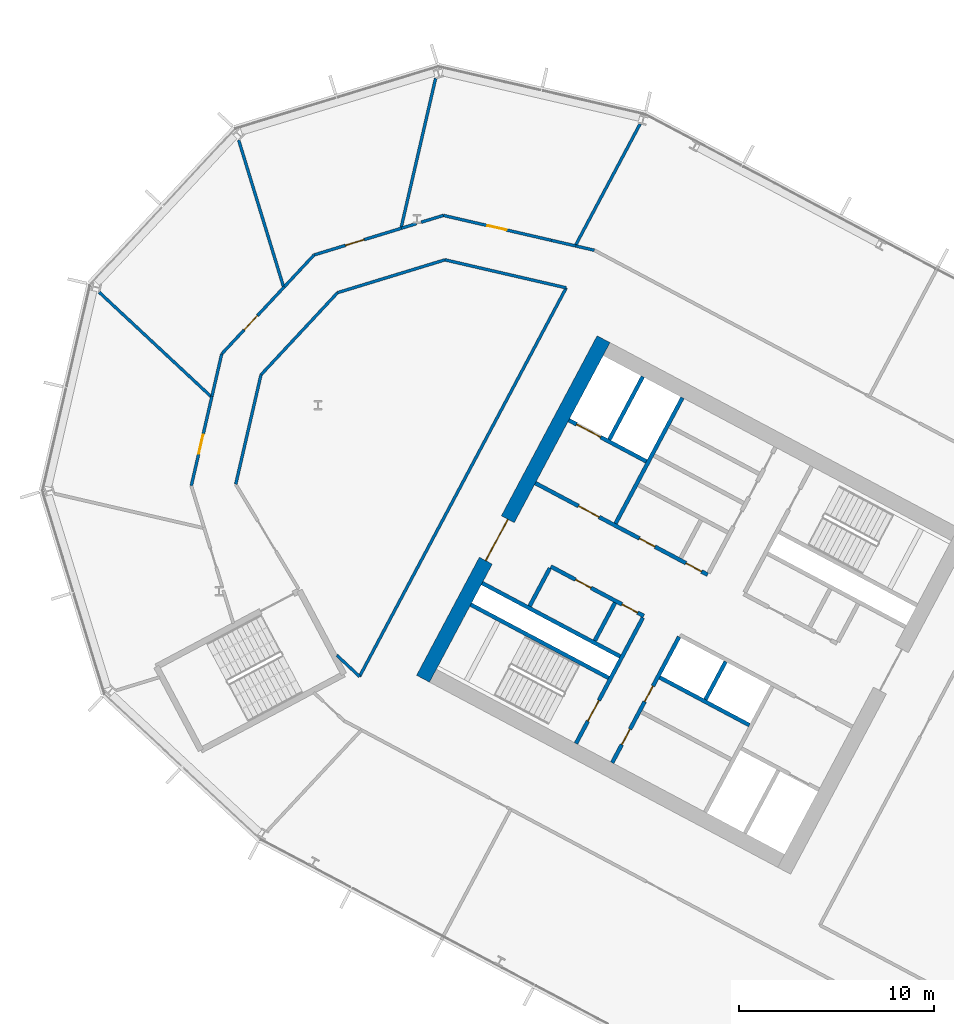
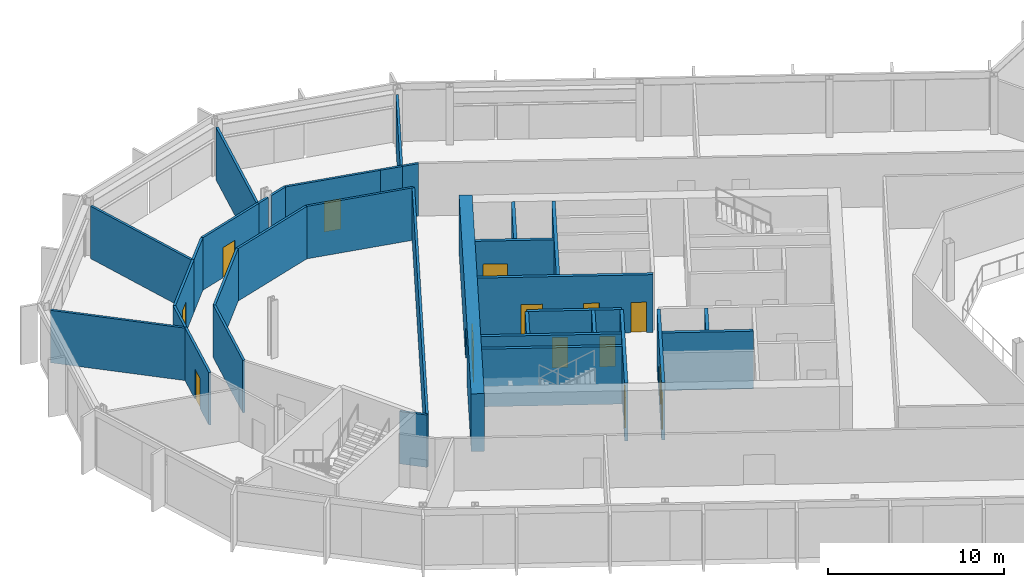
# One storey, part 14 of 28: 34 walls, 14 doors, 14 openings.
"""IFC4 building model written with IfcOpenShell, lengths in metres."""

import ifcopenshell
import ifcopenshell.guid

model = None  # the IFC model being written
_history = None  # IfcOwnerHistory: only IFC2X3 demands one
_inside = {}  # id of a spatial element -> (the spatial element, [elements in it])
_under = {}  # id of a project, library or spatial element -> (it, [spatial elements below it])
_declared = {}  # id of a project -> (the project, [libraries it declares])
_typed = {}  # id of a type object -> (the type object, [elements of that type])
_made_of = {}  # id of a material, layer set ... -> (it, [elements and type objects made of it])


def new_model(schema):
    """Start an empty IFC model of exactly this schema.

    Asked for "IFC4X3", IfcOpenShell would pick the latest addendum, in which some entities
    have other attributes; the version numbers below select the first issue.
    IFC2X3 requires an IfcOwnerHistory on every rooted entity: one is made here for all.
    """
    global model, _history
    if schema == "IFC4X3":
        model = ifcopenshell.file(schema_version=(4, 3, 0, 0))
    else:
        model = ifcopenshell.file(schema=schema)
    _inside.clear()
    _under.clear()
    _declared.clear()
    _typed.clear()
    _made_of.clear()
    _history = None
    if model.schema == "IFC2X3":
        org = make("IfcOrganization", Name="unknown")
        user = make(
            "IfcPersonAndOrganization",
            ThePerson=make("IfcPerson", FamilyName="unknown"),
            TheOrganization=org,
        )
        app = make(
            "IfcApplication",
            ApplicationDeveloper=org,
            Version="unknown",
            ApplicationFullName="unknown",
            ApplicationIdentifier="unknown",
        )
        _history = make(
            "IfcOwnerHistory",
            OwningUser=user,
            OwningApplication=app,
            ChangeAction="ADDED",
            CreationDate=0,
        )
    return model


def make(cls, **values):
    """One entity of the class cls with the attributes given. An attribute that is None is left unset."""
    return model.create_entity(
        cls, **{name: value for name, value in values.items() if value is not None}
    )


def rooted(cls, **values):
    """An entity with a GlobalId (a new one), such as an element, a storey or a relation."""
    return make(cls, GlobalId=ifcopenshell.guid.new(), OwnerHistory=_history, **values)


def si_unit(unit_type, name, prefix=None):
    """IfcSIUnit, for example si_unit("LENGTHUNIT", "METRE", prefix="MILLI")."""
    return make("IfcSIUnit", UnitType=unit_type, Prefix=prefix, Name=name)


def assignment(units):
    """IfcUnitAssignment: the units of a project."""
    return None if units is None else make("IfcUnitAssignment", Units=units)


def point(xyz):
    """IfcCartesianPoint."""
    return None if xyz is None else make("IfcCartesianPoint", Coordinates=xyz)


def direction(xyz):
    """IfcDirection."""
    return None if xyz is None else make("IfcDirection", DirectionRatios=xyz)


def frame(location, z_axis=None, x_axis=None):
    """IfcAxis2Placement3D, a coordinate frame: its origin and axes. An axis left out is left unset."""
    return make(
        "IfcAxis2Placement3D",
        Location=point(location),
        Axis=direction(z_axis),
        RefDirection=direction(x_axis),
    )


def frame_2d(location, x_axis=None):
    """IfcAxis2Placement2D, a coordinate frame in the plane: its origin and x axis."""
    return make(
        "IfcAxis2Placement2D", Location=point(location), RefDirection=direction(x_axis)
    )


def origin():
    """The frame at (0, 0, 0) with its axes left unset."""
    return frame((0.0, 0.0, 0.0))


def place(relative_to, where):
    """IfcLocalPlacement: puts the frame where relative to a parent placement (None: the world)."""
    return make(
        "IfcLocalPlacement", PlacementRelTo=relative_to, RelativePlacement=where
    )


def context(
    kind, dimensions, precision=None, world=None, true_north=None, identifier=None
):
    """IfcGeometricRepresentationContext, for example the 3D "Model" context."""
    return make(
        "IfcGeometricRepresentationContext",
        ContextIdentifier=identifier,
        ContextType=kind,
        CoordinateSpaceDimension=dimensions,
        Precision=precision,
        WorldCoordinateSystem=world,
        TrueNorth=true_north,
    )


def subcontext(parent, identifier, kind, view, scale=None):
    """IfcGeometricRepresentationSubContext, for example "Body" below "Model"."""
    return make(
        "IfcGeometricRepresentationSubContext",
        ContextIdentifier=identifier,
        ContextType=kind,
        ParentContext=parent,
        TargetScale=scale,
        TargetView=view,
    )


def project(units=None, contexts=None):
    """IfcProject with its units and contexts."""
    return rooted(
        "IfcProject",
        Name="project",
        RepresentationContexts=contexts,
        UnitsInContext=assignment(units),
    )


def spatial(cls, under=None, at=None, **own):
    """A site, building, storey or space (cls), placed at a placement, below another one or the project."""
    s = rooted(cls, ObjectPlacement=at, **own)
    if under is not None:
        _under.setdefault(under.id(), (under, []))[1].append(s)
    return s


def profile(cls, at=None, kind="AREA", **sizes):
    """A parametric profile (cls). Its sizes go by their IFC names, for example OverallWidth=200.0."""
    return make(cls, ProfileType=kind, Position=at, **sizes)


def rectangle(**sizes):
    """IfcRectangleProfileDef."""
    return profile("IfcRectangleProfileDef", **sizes)


def extrude(swept, where, along, depth):
    """IfcExtrudedAreaSolid: the profile swept, set in the frame where, extruded along a direction by depth."""
    return make(
        "IfcExtrudedAreaSolid",
        SweptArea=swept,
        Position=where,
        ExtrudedDirection=direction(along),
        Depth=depth,
    )


def shape(context_of_items, identifier, shape_type, items):
    """IfcShapeRepresentation: the items that make up one representation, for example the "Body"."""
    return make(
        "IfcShapeRepresentation",
        ContextOfItems=context_of_items,
        RepresentationIdentifier=identifier,
        RepresentationType=shape_type,
        Items=items,
    )


def material(Name=None, Category=None):
    """IfcMaterial."""
    return make("IfcMaterial", Name=Name, Category=Category)


def layer(
    of_material, thickness, ventilated=None, Name=None, Category=None, Priority=None
):
    """IfcMaterialLayer: one layer of a wall or slab, of a material (None: an air gap)."""
    return make(
        "IfcMaterialLayer",
        Material=of_material,
        LayerThickness=thickness,
        IsVentilated=ventilated,
        Name=Name,
        Category=Category,
        Priority=Priority,
    )


def layer_set(layers, Name=None):
    """IfcMaterialLayerSet."""
    return make("IfcMaterialLayerSet", MaterialLayers=layers, LayerSetName=Name)


def made_of(thing, what):
    """Note that an element or type object is made of a material, layer set ...; save() writes the relation."""
    if what is not None:
        _made_of.setdefault(what.id(), (what, []))[1].append(thing)
    return thing


def type_object(cls, material=None, **own):
    """A type object (cls), such as IfcWallType, which elements share."""
    return made_of(rooted(cls, **own), material)


def element(
    cls,
    number,
    at=None,
    inside=None,
    cuts=None,
    type_object=None,
    material=None,
    context=None,
    identifier="Body",
    shape_type=None,
    held_by="IfcProductDefinitionShape",
    body=None,
    shapes=None,
    **own,
):
    """One element of the class cls, such as IfcWall. Its Tag is "e" and its number.

    at: its placement. inside: the storey or other place that contains it. cuts: it is an
    opening in that element (IfcRelVoidsElement). A single representation is given by context,
    identifier, shape_type and body (its items); several are given by shapes. held_by: the class
    of the entity that holds the representations. save() writes the other relations.
    """
    e = rooted(cls, Tag="e%d" % number, ObjectPlacement=at, **own)
    if body is not None:
        shapes = [shape(context, identifier, shape_type, body)]
    if shapes is not None:
        e.Representation = make(held_by, Representations=shapes)
    if inside is not None:
        _inside.setdefault(inside.id(), (inside, []))[1].append(e)
    if cuts is not None:
        rooted(
            "IfcRelVoidsElement", RelatingBuildingElement=cuts, RelatedOpeningElement=e
        )
    if type_object is not None:
        _typed.setdefault(type_object.id(), (type_object, []))[1].append(e)
    return made_of(e, material)


def fill(opening, filler):
    """IfcRelFillsElement: the door or window that sits in an opening."""
    return rooted(
        "IfcRelFillsElement",
        RelatingOpeningElement=opening,
        RelatedBuildingElement=filler,
    )


def aggregate(whole, parts):
    """IfcRelAggregates: a whole, such as a stair, and the parts it consists of."""
    return rooted("IfcRelAggregates", RelatingObject=whole, RelatedObjects=parts)


def save(model, path):
    """Write the relations noted so far, then the file.

    IfcRelAggregates (storeys below a building ...), IfcRelContainedInSpatialStructure (elements
    in a storey), IfcRelDefinesByType, IfcRelAssociatesMaterial and IfcRelDeclares: one each for
    every whole, place, type object, material and project.
    """
    for whole, parts in _under.values():
        aggregate(whole, parts)
    for where, things in _inside.values():
        rooted(
            "IfcRelContainedInSpatialStructure",
            RelatedElements=things,
            RelatingStructure=where,
        )
    for kind, things in _typed.values():
        rooted("IfcRelDefinesByType", RelatedObjects=things, RelatingType=kind)
    for what, things in _made_of.values():
        rooted("IfcRelAssociatesMaterial", RelatedObjects=things, RelatingMaterial=what)
    for by, libraries in _declared.values():
        rooted("IfcRelDeclares", RelatingContext=by, RelatedDefinitions=libraries)
    model.write(path)


model = new_model("IFC4")

# Units and contexts
model_context = context("Model", 3, precision=1e-05, world=origin(), true_north=direction((0.0, 1.0)))
body_context = subcontext(model_context, "Body", "Model", "MODEL_VIEW")
ifc_project = project(units=[si_unit("LENGTHUNIT", "METRE"), si_unit("AREAUNIT", "SQUARE_METRE"), si_unit("VOLUMEUNIT", "CUBIC_METRE"), si_unit("PLANEANGLEUNIT", "RADIAN"), si_unit("MASSUNIT", "GRAM", prefix="KILO")], contexts=[model_context])

# Site, building, storey
site_placement = place(None, origin())
site = spatial("IfcSite", under=ifc_project, at=site_placement, CompositionType="ELEMENT")
building_placement = place(site_placement, origin())
building = spatial("IfcBuilding", under=site, at=building_placement, Name="Cormorant Relay Tower", CompositionType="ELEMENT")
storey_placement = place(building_placement, frame((0.0, 0.0, 142.199951171875)))
storey = spatial("IfcBuildingStorey", under=building, at=storey_placement, Name="L29", CompositionType="ELEMENT", Elevation=142.199951171875)

# Walls
ifc_material_1 = material(Name="Concrete 40 MPa", Category="concrete")
ifc_layer_1 = layer(ifc_material_1, 0.199951171875)
ifc_layer_set_1 = layer_set([ifc_layer_1], Name="Core internal wall 200")
wall_type_1 = type_object("IfcWallType", Name="Core internal wall 200", PredefinedType="SOLIDWALL", material=ifc_layer_set_1)
wall_1_placement = place(storey_placement, frame((-25.744140625, 11.64990234375, 0.0), z_axis=(0.0, 0.0, 1.0), x_axis=(-0.469487830541, -0.882938942948, 0.0)))
element("IfcWall", 1, at=wall_1_placement, inside=storey, type_object=wall_type_1, Name="L29 core A shaft and room wall", PredefinedType="SOLIDWALL", context=body_context, shape_type="SweptSolid", body=[
    extrude(rectangle(XDim=2.2001953125, YDim=0.199951171875, at=frame_2d((1.10009765625, 0.0))), origin(), (0.0, 0.0, 1.0), 4.0),
])
wall_2_placement = place(storey_placement, frame((-31.41259765625, 14.663818359375, 0.0), z_axis=(0.0, 0.0, 1.0), x_axis=(-0.469533832133, -0.882914480843, 0.0)))
element("IfcWall", 2, at=wall_2_placement, inside=storey, type_object=wall_type_1, Name="L29 core A shaft and room wall", PredefinedType="SOLIDWALL", context=body_context, shape_type="SweptSolid", body=[
    extrude(rectangle(XDim=2.199951171875, YDim=0.199951171875, at=frame_2d((1.10009765625, 0.0))), origin(), (0.0, 0.0, 1.0), 4.0),
])

# Wall, openings, doors
ifc_material_2 = material(Name="Concrete 50 MPa", Category="concrete")
ifc_layer_2 = layer(ifc_material_2, 0.199951171875)
ifc_layer_set_2 = layer_set([ifc_layer_2], Name="Core shaft wall 200")
wall_type_2 = type_object("IfcWallType", Name="Core shaft wall 200", PredefinedType="SHEAR", material=ifc_layer_set_2)
wall_3_placement = place(storey_placement, frame((-28.128173828125, 12.91748046875, 0.0), z_axis=(0.0, 0.0, 1.0), x_axis=(-0.469454336211, -0.882956752176, 0.0)))
wall_3 = element("IfcWall", 3, at=wall_3_placement, inside=storey, type_object=wall_type_2, Name="L29 core A shaft wall", PredefinedType="SHEAR", context=body_context, shape_type="SweptSolid", body=[
    extrude(rectangle(XDim=7.300048828125, YDim=0.199951171875, at=frame_2d((3.64990234375, 0.0))), origin(), (0.0, 0.0, 1.0), 4.0),
])
opening_1_placement = place(wall_3_placement, frame((2.85009765625, 0.0, 0.0)))
opening_1 = element("IfcOpeningElement", 4, at=opening_1_placement, cuts=wall_3, Name="Opening CDD-196", PredefinedType="OPENING", context=body_context, shape_type="SweptSolid", body=[
    extrude(rectangle(XDim=0.89990234375, YDim=2.10009765625, at=frame_2d((0.449951171875, 1.050048828125))), frame((0.0, 0.10986328125, 0.0), z_axis=(0.0, -1.0, 0.0), x_axis=(1.0, 0.0, 0.0)), (0.0, 0.0, 1.0), 0.219970703125),
])
opening_2_placement = place(wall_3_placement, frame((5.35009765625, 0.0, 0.0)))
opening_2 = element("IfcOpeningElement", 5, at=opening_2_placement, cuts=wall_3, Name="Opening CDD-197", PredefinedType="OPENING", context=body_context, shape_type="SweptSolid", body=[
    extrude(rectangle(XDim=0.89990234375, YDim=2.10009765625, at=frame_2d((0.449951171875, 1.050048828125))), frame((0.0, 0.10986328125, 0.0), z_axis=(0.0, -1.0, 0.0), x_axis=(1.0, 0.0, 0.0)), (0.0, 0.0, 1.0), 0.219970703125),
])
ifc_material_3 = material(Name="Steel fire door", Category="steel")
door_type_1 = type_object("IfcDoorType", Name="Core room door 900x2100", OperationType="SINGLE_SWING_LEFT", PredefinedType="DOOR", material=ifc_material_3)
door_1_placement = place(opening_1_placement, origin())
door_1 = element("IfcDoor", 6, at=door_1_placement, inside=storey, type_object=door_type_1, Name="Core room door 900x2100", OperationType="SINGLE_SWING_LEFT", OverallHeight=2.10009765625, OverallWidth=0.89990234375, PredefinedType="DOOR", context=body_context, shape_type="SweptSolid", body=[
    extrude(rectangle(XDim=0.89990234375, YDim=2.10009765625, at=frame_2d((0.449951171875, 1.050048828125))), frame((0.0, 0.02490234375, 0.0), z_axis=(0.0, -1.0, 0.0), x_axis=(1.0, 0.0, 0.0)), (0.0, 0.0, 1.0), 0.050048828125),
])
fill(opening_1, door_1)
door_2_placement = place(opening_2_placement, origin())
door_2 = element("IfcDoor", 7, at=door_2_placement, inside=storey, type_object=door_type_1, Name="Core room door 900x2100", OperationType="SINGLE_SWING_LEFT", OverallHeight=2.10009765625, OverallWidth=0.89990234375, PredefinedType="DOOR", context=body_context, shape_type="SweptSolid", body=[
    extrude(rectangle(XDim=0.89990234375, YDim=2.10009765625, at=frame_2d((0.449951171875, 1.050048828125))), frame((0.0, 0.02490234375, 0.0), z_axis=(0.0, -1.0, 0.0), x_axis=(1.0, 0.0, 0.0)), (0.0, 0.0, 1.0), 0.050048828125),
])
fill(opening_2, door_2)

# Wall, opening, door
wall_4_placement = place(storey_placement, frame((-29.982421875, 13.9033203125, 0.0), z_axis=(0.0, 0.0, 1.0), x_axis=(-0.469454336211, -0.882956752176, 0.0)))
wall_4 = element("IfcWall", 8, at=wall_4_placement, inside=storey, type_object=wall_type_2, Name="L29 core A shaft wall", PredefinedType="SHEAR", context=body_context, shape_type="SweptSolid", body=[
    extrude(rectangle(XDim=7.300048828125, YDim=0.199951171875, at=frame_2d((3.64990234375, 0.0))), origin(), (0.0, 0.0, 1.0), 4.0),
])
opening_3_placement = place(wall_4_placement, frame((4.800048828125, 0.0, 0.0)))
opening_3 = element("IfcOpeningElement", 9, at=opening_3_placement, cuts=wall_4, Name="Opening CDB-035", PredefinedType="OPENING", context=body_context, shape_type="SweptSolid", body=[
    extrude(rectangle(XDim=1.199951171875, YDim=2.10009765625, at=frame_2d((0.60009765625, 1.050048828125))), frame((0.0, 0.10986328125, 0.0), z_axis=(0.0, -1.0, 0.0), x_axis=(1.0, 0.0, 0.0)), (0.0, 0.0, 1.0), 0.219970703125),
])
ifc_material_4 = material(Name="Steel fire door", Category="steel")
door_type_2 = type_object("IfcDoorType", Name="Core stair door 1200x2100", OperationType="SINGLE_SWING_LEFT", PredefinedType="DOOR", material=ifc_material_4)
door_3_placement = place(opening_3_placement, frame((1.199951171875, 0.0, 0.0), z_axis=(0.0, 0.0, 1.0), x_axis=(-1.0, 0.0, 0.0)))
door_3 = element("IfcDoor", 10, at=door_3_placement, inside=storey, type_object=door_type_2, Name="Core stair door 1200x2100", OperationType="SINGLE_SWING_RIGHT", OverallHeight=2.10009765625, OverallWidth=1.199951171875, PredefinedType="DOOR", context=body_context, shape_type="SweptSolid", body=[
    extrude(rectangle(XDim=1.199951171875, YDim=2.10009765625, at=frame_2d((0.60009765625, 1.050048828125))), frame((0.0, 0.02490234375, 0.0), z_axis=(0.0, -1.0, 0.0), x_axis=(1.0, 0.0, 0.0)), (0.0, 0.0, 1.0), 0.050048828125),
])
fill(opening_3, door_3)

# Walls
wall_5_placement = place(storey_placement, frame((-27.955322265625, 25.170654296875, 0.0), z_axis=(0.0, 0.0, 1.0), x_axis=(-0.469480409012, -0.88294288918, 0.0)))
element("IfcWall", 11, at=wall_5_placement, inside=storey, type_object=wall_type_2, Name="L29 core A shaft wall", PredefinedType="SHEAR", context=body_context, shape_type="SweptSolid", body=[
    extrude(rectangle(XDim=7.300048828125, YDim=0.199951171875, at=frame_2d((3.64990234375, 0.0))), origin(), (0.0, 0.0, 1.0), 4.0),
])
wall_6_placement = place(storey_placement, frame((-34.750244140625, 16.4384765625, 0.0), z_axis=(0.0, 0.0, 1.0), x_axis=(-0.469401318492, -0.882984938828, 0.0)))
element("IfcWall", 12, at=wall_6_placement, inside=storey, type_object=wall_type_2, Name="L29 core A shaft wall", PredefinedType="SHEAR", context=body_context, shape_type="SweptSolid", body=[
    extrude(rectangle(XDim=2.199951171875, YDim=0.199951171875, at=frame_2d((1.10009765625, 0.0))), origin(), (0.0, 0.0, 1.0), 4.0),
])
wall_7_placement = place(storey_placement, frame((-29.986083984375, 26.250244140625, 0.0), z_axis=(0.0, 0.0, 1.0), x_axis=(-0.469494272526, -0.882935517501, 0.0)))
element("IfcWall", 13, at=wall_7_placement, inside=storey, type_object=wall_type_2, Name="L29 core A shaft wall", PredefinedType="SHEAR", context=body_context, shape_type="SweptSolid", body=[
    extrude(rectangle(XDim=3.64990234375, YDim=0.199951171875, at=frame_2d((1.824951171875, 0.0))), origin(), (0.0, 0.0, 1.0), 4.0),
])

# Wall, opening, door
wall_8_placement = place(storey_placement, frame((-29.80419921875, 21.906494140625, 0.0), z_axis=(0.0, 0.0, 1.0), x_axis=(-0.882960433586, 0.469447412093, 0.0)))
wall_8 = element("IfcWall", 14, at=wall_8_placement, inside=storey, type_object=wall_type_2, Name="L29 core A shaft wall", PredefinedType="SHEAR", context=body_context, shape_type="SweptSolid", body=[
    extrude(rectangle(XDim=4.5, YDim=0.199951171875, at=frame_2d((2.25, 0.0))), origin(), (0.0, 0.0, 1.0), 4.0),
])
opening_4_placement = place(wall_8_placement, frame((2.64990234375, 0.0, 0.0)))
opening_4 = element("IfcOpeningElement", 15, at=opening_4_placement, cuts=wall_8, Name="Opening LD3-013", PredefinedType="OPENING", context=body_context, shape_type="SweptSolid", body=[
    extrude(rectangle(XDim=1.39990234375, YDim=2.39990234375, at=frame_2d((0.699951171875, 1.199951171875))), frame((0.0, 0.10986328125, 0.0), z_axis=(0.0, -1.0, 0.0), x_axis=(1.0, 0.0, 0.0)), (0.0, 0.0, 1.0), 0.219970703125),
])
ifc_material_5 = material(Name="Stainless steel 316", Category="steel")
door_type_3 = type_object("IfcDoorType", Name="Lift landing door 1400x2400", OperationType="DOUBLE_DOOR_SLIDING", PredefinedType="DOOR", material=ifc_material_5)
door_4_placement = place(opening_4_placement, origin())
door_4 = element("IfcDoor", 16, at=door_4_placement, inside=storey, type_object=door_type_3, Name="SV1 landing door", OperationType="DOUBLE_DOOR_SLIDING", OverallHeight=2.39990234375, OverallWidth=1.39990234375, PredefinedType="DOOR", context=body_context, shape_type="SweptSolid", body=[
    extrude(rectangle(XDim=1.39990234375, YDim=2.39990234375, at=frame_2d((0.699951171875, 1.199951171875))), frame((0.0, 0.02490234375, 0.0), z_axis=(0.0, -1.0, 0.0), x_axis=(1.0, 0.0, 0.0)), (0.0, 0.0, 1.0), 0.050048828125),
])
fill(opening_4, door_4)

# Wall, openings, doors
wall_9_placement = place(storey_placement, frame((-26.66162109375, 16.1015625, 0.0), z_axis=(0.0, 0.0, 1.0), x_axis=(-0.882940221191, 0.469485426614, 0.0)))
wall_9 = element("IfcWall", 17, at=wall_9_placement, inside=storey, type_object=wall_type_2, Name="L29 core A shaft wall", PredefinedType="SHEAR", context=body_context, shape_type="SweptSolid", body=[
    extrude(rectangle(XDim=10.0, YDim=0.199951171875, at=frame_2d((5.0, 0.0))), origin(), (0.0, 0.0, 1.0), 4.0),
])
opening_5_placement = place(wall_9_placement, frame((6.300048828125, 0.0, 0.0)))
opening_5 = element("IfcOpeningElement", 18, at=opening_5_placement, cuts=wall_9, Name="Opening CDC-026", PredefinedType="OPENING", context=body_context, shape_type="SweptSolid", body=[
    extrude(rectangle(XDim=1.199951171875, YDim=2.10009765625, at=frame_2d((0.60009765625, 1.050048828125))), frame((0.0, 0.10986328125, 0.0), z_axis=(0.0, -1.0, 0.0), x_axis=(1.0, 0.0, 0.0)), (0.0, 0.0, 1.0), 0.219970703125),
])
opening_6_placement = place(wall_9_placement, frame((0.360107421875, 0.0, 0.0)))
opening_6 = element("IfcOpeningElement", 19, at=opening_6_placement, cuts=wall_9, Name="Opening CDD-170", PredefinedType="OPENING", context=body_context, shape_type="SweptSolid", body=[
    extrude(rectangle(XDim=0.89990234375, YDim=2.10009765625, at=frame_2d((0.449951171875, 1.050048828125))), frame((0.0, 0.10986328125, 0.0), z_axis=(0.0, -1.0, 0.0), x_axis=(1.0, 0.0, 0.0)), (0.0, 0.0, 1.0), 0.219970703125),
])
opening_7_placement = place(wall_9_placement, frame((3.06005859375, 0.0, 0.0)))
opening_7 = element("IfcOpeningElement", 20, at=opening_7_placement, cuts=wall_9, Name="Opening CDD-171", PredefinedType="OPENING", context=body_context, shape_type="SweptSolid", body=[
    extrude(rectangle(XDim=0.89990234375, YDim=2.10009765625, at=frame_2d((0.449951171875, 1.050048828125))), frame((0.0, 0.10986328125, 0.0), z_axis=(0.0, -1.0, 0.0), x_axis=(1.0, 0.0, 0.0)), (0.0, 0.0, 1.0), 0.219970703125),
])
ifc_material_6 = material(Name="Steel fire door", Category="steel")
door_type_4 = type_object("IfcDoorType", Name="Core lobby door 1200x2100", OperationType="SINGLE_SWING_LEFT", PredefinedType="DOOR", material=ifc_material_6)
door_5_placement = place(opening_5_placement, origin())
door_5 = element("IfcDoor", 21, at=door_5_placement, inside=storey, type_object=door_type_4, Name="Core lobby door 1200x2100", OperationType="SINGLE_SWING_LEFT", OverallHeight=2.10009765625, OverallWidth=1.199951171875, PredefinedType="DOOR", context=body_context, shape_type="SweptSolid", body=[
    extrude(rectangle(XDim=1.199951171875, YDim=2.10009765625, at=frame_2d((0.60009765625, 1.050048828125))), frame((0.0, 0.02490234375, 0.0), z_axis=(0.0, -1.0, 0.0), x_axis=(1.0, 0.0, 0.0)), (0.0, 0.0, 1.0), 0.050048828125),
])
fill(opening_5, door_5)
door_6_placement = place(opening_6_placement, origin())
door_6 = element("IfcDoor", 22, at=door_6_placement, inside=storey, type_object=door_type_1, Name="Core room door 900x2100", OperationType="SINGLE_SWING_LEFT", OverallHeight=2.10009765625, OverallWidth=0.89990234375, PredefinedType="DOOR", context=body_context, shape_type="SweptSolid", body=[
    extrude(rectangle(XDim=0.89990234375, YDim=2.10009765625, at=frame_2d((0.449951171875, 1.050048828125))), frame((0.0, 0.02490234375, 0.0), z_axis=(0.0, -1.0, 0.0), x_axis=(1.0, 0.0, 0.0)), (0.0, 0.0, 1.0), 0.050048828125),
])
fill(opening_6, door_6)
door_7_placement = place(opening_7_placement, origin())
door_7 = element("IfcDoor", 23, at=door_7_placement, inside=storey, type_object=door_type_1, Name="Core room door 900x2100", OperationType="SINGLE_SWING_LEFT", OverallHeight=2.10009765625, OverallWidth=0.89990234375, PredefinedType="DOOR", context=body_context, shape_type="SweptSolid", body=[
    extrude(rectangle(XDim=0.89990234375, YDim=2.10009765625, at=frame_2d((0.449951171875, 1.050048828125))), frame((0.0, 0.02490234375, 0.0), z_axis=(0.0, -1.0, 0.0), x_axis=(1.0, 0.0, 0.0)), (0.0, 0.0, 1.0), 0.050048828125),
])
fill(opening_7, door_7)

wall_10_placement = place(storey_placement, frame((-29.935302734375, 13.991455078125, 0.0), z_axis=(0.0, 0.0, 1.0), x_axis=(-0.882952937579, 0.469461510692, 0.0)))
wall_10 = element("IfcWall", 24, at=wall_10_placement, inside=storey, type_object=wall_type_2, Name="L29 core A shaft wall", PredefinedType="SHEAR", context=body_context, shape_type="SweptSolid", body=[
    extrude(rectangle(XDim=5.400146484375, YDim=0.199951171875, at=frame_2d((2.7001953125, 0.0))), origin(), (0.0, 0.0, 1.0), 4.0),
])
opening_8_placement = place(wall_10_placement, frame((0.360107421875, 0.0, 0.0)))
opening_8 = element("IfcOpeningElement", 25, at=opening_8_placement, cuts=wall_10, Name="Opening CDD-166", PredefinedType="OPENING", context=body_context, shape_type="SweptSolid", body=[
    extrude(rectangle(XDim=0.89990234375, YDim=2.10009765625, at=frame_2d((0.449951171875, 1.050048828125))), frame((0.0, 0.10986328125, 0.0), z_axis=(0.0, -1.0, 0.0), x_axis=(1.0, 0.0, 0.0)), (0.0, 0.0, 1.0), 0.219970703125),
])
opening_9_placement = place(wall_10_placement, frame((3.06005859375, 0.0, 0.0)))
opening_9 = element("IfcOpeningElement", 26, at=opening_9_placement, cuts=wall_10, Name="Opening CDD-167", PredefinedType="OPENING", context=body_context, shape_type="SweptSolid", body=[
    extrude(rectangle(XDim=0.89990234375, YDim=2.10009765625, at=frame_2d((0.449951171875, 1.050048828125))), frame((0.0, 0.10986328125, 0.0), z_axis=(0.0, -1.0, 0.0), x_axis=(1.0, 0.0, 0.0)), (0.0, 0.0, 1.0), 0.219970703125),
])
door_8_placement = place(opening_8_placement, origin())
door_8 = element("IfcDoor", 27, at=door_8_placement, inside=storey, type_object=door_type_1, Name="Core room door 900x2100", OperationType="SINGLE_SWING_LEFT", OverallHeight=2.10009765625, OverallWidth=0.89990234375, PredefinedType="DOOR", context=body_context, shape_type="SweptSolid", body=[
    extrude(rectangle(XDim=0.89990234375, YDim=2.10009765625, at=frame_2d((0.449951171875, 1.050048828125))), frame((0.0, 0.02490234375, 0.0), z_axis=(0.0, -1.0, 0.0), x_axis=(1.0, 0.0, 0.0)), (0.0, 0.0, 1.0), 0.050048828125),
])
fill(opening_8, door_8)
door_9_placement = place(opening_9_placement, origin())
door_9 = element("IfcDoor", 28, at=door_9_placement, inside=storey, type_object=door_type_1, Name="Core room door 900x2100", OperationType="SINGLE_SWING_LEFT", OverallHeight=2.10009765625, OverallWidth=0.89990234375, PredefinedType="DOOR", context=body_context, shape_type="SweptSolid", body=[
    extrude(rectangle(XDim=0.89990234375, YDim=2.10009765625, at=frame_2d((0.449951171875, 1.050048828125))), frame((0.0, 0.02490234375, 0.0), z_axis=(0.0, -1.0, 0.0), x_axis=(1.0, 0.0, 0.0)), (0.0, 0.0, 1.0), 0.050048828125),
])
fill(opening_9, door_9)

# Walls
wall_11_placement = place(storey_placement, frame((-24.5283203125, 8.3984375, 0.0), z_axis=(0.0, 0.0, 1.0), x_axis=(-0.882953967957, 0.469459572775, 0.0)))
element("IfcWall", 29, at=wall_11_placement, inside=storey, type_object=wall_type_2, Name="L29 core A shaft wall", PredefinedType="SHEAR", context=body_context, shape_type="SweptSolid", body=[
    extrude(rectangle(XDim=5.199951171875, YDim=0.199951171875, at=frame_2d((2.60009765625, 0.0))), origin(), (0.0, 0.0, 1.0), 4.0),
])
for number, where, z_axis, x_axis, name in (
    (30, (-31.150390625, 11.91943359375, 0.0), (0.0, 0.0, 1.0), (-0.882940221191, 0.469485426614, 0.0), "L29 core A shaft wall"),
    (31, (-31.7373046875, 10.815673828125, 0.0), (0.0, 0.0, 1.0), (-0.882940221191, 0.469485426614, 0.0), "L29 core A shaft wall"),
):
    element("IfcWall", number, at=place(storey_placement, frame(where, z_axis=z_axis, x_axis=x_axis)), inside=storey, type_object=wall_type_2, Name=name, PredefinedType="SHEAR", context=body_context, shape_type="SweptSolid", body=[
        extrude(rectangle(XDim=8.0, YDim=0.199951171875, at=frame_2d((4.0, 0.0))), origin(), (0.0, 0.0, 1.0), 4.0),
    ])

# Wall, opening, door
ifc_material_7 = material(Name="Concrete 60 MPa", Category="concrete")
ifc_layer_3 = layer(ifc_material_7, 0.75)
ifc_layer_set_3 = layer_set([ifc_layer_3], Name="Core wall 750")
wall_type_3 = type_object("IfcWallType", Name="Core wall 750", PredefinedType="SHEAR", material=ifc_layer_set_3)
wall_12_placement = place(storey_placement, frame((-31.995849609375, 28.16845703125, 0.0), z_axis=(0.0, 0.0, 1.0), x_axis=(-0.469479580143, -0.882943329908, 0.0)))
wall_12 = element("IfcWall", 32, at=wall_12_placement, inside=storey, type_object=wall_type_3, Name="L29 core A wall", PredefinedType="SHEAR", context=body_context, shape_type="SweptSolid", body=[
    extrude(rectangle(XDim=19.699951171875, YDim=0.75, at=frame_2d((9.85009765625, 0.0))), origin(), (0.0, 0.0, 1.0), 4.0),
])
opening_10_placement = place(wall_12_placement, frame((10.449951171875, 0.0, 0.0)))
opening_10 = element("IfcOpeningElement", 33, at=opening_10_placement, cuts=wall_12, Name="Opening CDA-027", PredefinedType="OPENING", context=body_context, shape_type="SweptSolid", body=[
    extrude(rectangle(XDim=2.39990234375, YDim=2.39990234375, at=frame_2d((1.199951171875, 1.199951171875))), frame((0.0, 0.385009765625, 0.0), z_axis=(0.0, -1.0, 0.0), x_axis=(1.0, 0.0, 0.0)), (0.0, 0.0, 1.0), 0.77001953125),
])
ifc_material_8 = material(Name="Steel fire door", Category="steel")
door_type_5 = type_object("IfcDoorType", Name="Core lobby door 2400x2400", OperationType="DOUBLE_DOOR_SINGLE_SWING", PredefinedType="DOOR", material=ifc_material_8)
door_10_placement = place(opening_10_placement, origin())
door_10 = element("IfcDoor", 34, at=door_10_placement, inside=storey, type_object=door_type_5, Name="Core lobby door 2400x2400", OperationType="DOUBLE_DOOR_SINGLE_SWING", OverallHeight=2.39990234375, OverallWidth=2.39990234375, PredefinedType="DOOR", context=body_context, shape_type="SweptSolid", body=[
    extrude(rectangle(XDim=2.39990234375, YDim=2.39990234375, at=frame_2d((1.199951171875, 1.199951171875))), frame((0.0, 0.02490234375, 0.0), z_axis=(0.0, -1.0, 0.0), x_axis=(1.0, 0.0, 0.0)), (0.0, 0.0, 1.0), 0.050048828125),
])
fill(opening_10, door_10)

ifc_material_9 = material(Name="Gypsum board fire partition")
ifc_layer_4 = layer(ifc_material_9, 0.14990234375)
ifc_layer_set_4 = layer_set([ifc_layer_4], Name="Corridor partition 150 EI 60")
wall_type_4 = type_object("IfcWallType", Name="Corridor partition 150 EI 60", PredefinedType="PARTITIONING", material=ifc_layer_set_4)
wall_13_placement = place(storey_placement, frame((-52.055908203125, 25.24609375, 0.0), z_axis=(0.0, 0.0, 1.0), x_axis=(-0.224961765576, -0.97436759184, 0.0)))
wall_13 = element("IfcWall", 35, at=wall_13_placement, inside=storey, type_object=wall_type_4, Name="wall/L29/part/004", PredefinedType="PARTITIONING", context=body_context, shape_type="SweptSolid", body=[
    extrude(rectangle(XDim=4.707763671875, YDim=0.14990234375, at=frame_2d((2.35400390625, 0.0))), origin(), (0.0, 0.0, 1.0), 3.64013671875),
])
opening_11_placement = place(wall_13_placement, frame((2.02392578125, 0.0, 0.0)))
opening_11 = element("IfcOpeningElement", 36, at=opening_11_placement, cuts=wall_13, Name="Opening DS-011", PredefinedType="OPENING", context=body_context, shape_type="SweptSolid", body=[
    extrude(rectangle(XDim=1.0, YDim=2.10009765625, at=frame_2d((0.5, 1.050048828125))), frame((0.0, 0.0849609375, 0.0), z_axis=(0.0, -1.0, 0.0), x_axis=(1.0, 0.0, 0.0)), (0.0, 0.0, 1.0), 0.169921875),
])
ifc_material_10 = material(Name="Timber door leaf", Category="wood")
door_type_6 = type_object("IfcDoorType", Name="Suite door 1000x2100", OperationType="SINGLE_SWING_LEFT", PredefinedType="DOOR", material=ifc_material_10)
door_11_placement = place(opening_11_placement, frame((1.0, 0.0, 0.0), z_axis=(0.0, 0.0, 1.0), x_axis=(-1.0, 0.0, 0.0)))
door_11 = element("IfcDoor", 37, at=door_11_placement, inside=storey, type_object=door_type_6, Name="door/L29/014", OperationType="SINGLE_SWING_RIGHT", OverallHeight=2.10009765625, OverallWidth=1.0, PredefinedType="DOOR", context=body_context, shape_type="SweptSolid", body=[
    extrude(rectangle(XDim=1.0, YDim=2.10009765625, at=frame_2d((0.5, 1.050048828125))), frame((0.0, 0.02490234375, 0.0), z_axis=(0.0, -1.0, 0.0), x_axis=(1.0, 0.0, 0.0)), (0.0, 0.0, 1.0), 0.050048828125),
])
fill(opening_11, door_11)

wall_14_placement = place(storey_placement, frame((-48.344970703125, 30.85595703125, 0.0), z_axis=(0.0, 0.0, 1.0), x_axis=(-0.682044743799, -0.731310445335, 0.0)))
wall_14 = element("IfcWall", 38, at=wall_14_placement, inside=storey, type_object=wall_type_4, Name="wall/L29/part/008", PredefinedType="PARTITIONING", context=body_context, shape_type="SweptSolid", body=[
    extrude(rectangle(XDim=4.707763671875, YDim=0.14990234375, at=frame_2d((2.35400390625, 0.0))), origin(), (0.0, 0.0, 1.0), 3.64013671875),
])
opening_12_placement = place(wall_14_placement, frame((2.02392578125, 0.0, 0.0)))
opening_12 = element("IfcOpeningElement", 39, at=opening_12_placement, cuts=wall_14, Name="Opening DS-010", PredefinedType="OPENING", context=body_context, shape_type="SweptSolid", body=[
    extrude(rectangle(XDim=1.0, YDim=2.10009765625, at=frame_2d((0.5, 1.050048828125))), frame((0.0, 0.0849609375, 0.0), z_axis=(0.0, -1.0, 0.0), x_axis=(1.0, 0.0, 0.0)), (0.0, 0.0, 1.0), 0.169921875),
])
door_12_placement = place(opening_12_placement, frame((1.0, 0.0, 0.0), z_axis=(0.0, 0.0, 1.0), x_axis=(-1.0, 0.0, 0.0)))
door_12 = element("IfcDoor", 40, at=door_12_placement, inside=storey, type_object=door_type_6, Name="door/L29/013", OperationType="SINGLE_SWING_RIGHT", OverallHeight=2.10009765625, OverallWidth=1.0, PredefinedType="DOOR", context=body_context, shape_type="SweptSolid", body=[
    extrude(rectangle(XDim=1.0, YDim=2.10009765625, at=frame_2d((0.5, 1.050048828125))), frame((0.0, 0.02490234375, 0.0), z_axis=(0.0, -1.0, 0.0), x_axis=(1.0, 0.0, 0.0)), (0.0, 0.0, 1.0), 0.050048828125),
])
fill(opening_12, door_12)

# Wall
wall_15_placement = place(storey_placement, frame((-51.555908203125, 27.4130859375, 0.0), z_axis=(0.0, 0.0, 1.0), x_axis=(-0.225019992363, -0.974354146621, 0.0)))
element("IfcWall", 41, at=wall_15_placement, inside=storey, type_object=wall_type_4, Name="wall/L29/part/009", PredefinedType="PARTITIONING", context=body_context, shape_type="SweptSolid", body=[
    extrude(rectangle(XDim=2.221923828125, YDim=0.14990234375, at=frame_2d((1.11083984375, 0.0))), origin(), (0.0, 0.0, 1.0), 3.64013671875),
])

# Wall, opening, door
wall_16_placement = place(storey_placement, frame((-42.325927734375, 33.85791015625, 0.0), z_axis=(0.0, 0.0, 1.0), x_axis=(-0.956351168554, -0.292219852858, 0.0)))
wall_16 = element("IfcWall", 42, at=wall_16_placement, inside=storey, type_object=wall_type_4, Name="wall/L29/part/013", PredefinedType="PARTITIONING", context=body_context, shape_type="SweptSolid", body=[
    extrude(rectangle(XDim=4.708740234375, YDim=0.14990234375, at=frame_2d((2.3544921875, 0.0))), origin(), (0.0, 0.0, 1.0), 3.64013671875),
])
opening_13_placement = place(wall_16_placement, frame((2.02490234375, 0.0, 0.0)))
opening_13 = element("IfcOpeningElement", 43, at=opening_13_placement, cuts=wall_16, Name="Opening DS-009", PredefinedType="OPENING", context=body_context, shape_type="SweptSolid", body=[
    extrude(rectangle(XDim=1.0, YDim=2.10009765625, at=frame_2d((0.5, 1.050048828125))), frame((0.0, 0.0849609375, 0.0), z_axis=(0.0, -1.0, 0.0), x_axis=(1.0, 0.0, 0.0)), (0.0, 0.0, 1.0), 0.169921875),
])
door_13_placement = place(opening_13_placement, frame((1.0, 0.0, 0.0), z_axis=(0.0, 0.0, 1.0), x_axis=(-1.0, 0.0, 0.0)))
door_13 = element("IfcDoor", 44, at=door_13_placement, inside=storey, type_object=door_type_6, Name="door/L29/012", OperationType="SINGLE_SWING_RIGHT", OverallHeight=2.10009765625, OverallWidth=1.0, PredefinedType="DOOR", context=body_context, shape_type="SweptSolid", body=[
    extrude(rectangle(XDim=1.0, YDim=2.10009765625, at=frame_2d((0.5, 1.050048828125))), frame((0.0, 0.02490234375, 0.0), z_axis=(0.0, -1.0, 0.0), x_axis=(1.0, 0.0, 0.0)), (0.0, 0.0, 1.0), 0.050048828125),
])
fill(opening_13, door_13)

# Walls
wall_17_placement = place(storey_placement, frame((-46.8291015625, 32.48193359375, 0.0), z_axis=(0.0, 0.0, 1.0), x_axis=(-0.681891349178, -0.731453476249, 0.0)))
element("IfcWall", 45, at=wall_17_placement, inside=storey, type_object=wall_type_4, Name="wall/L29/part/014", PredefinedType="PARTITIONING", context=body_context, shape_type="SweptSolid", body=[
    extrude(rectangle(XDim=2.2216796875, YDim=0.14990234375, at=frame_2d((1.11083984375, 0.0))), origin(), (0.0, 0.0, 1.0), 3.64013671875),
])
wall_18_placement = place(storey_placement, frame((-50.839111328125, 20.738037109375, 0.0), z_axis=(0.0, 0.0, 1.0), x_axis=(0.224943182107, 0.974371882201, 0.0)))
element("IfcWall", 46, at=wall_18_placement, inside=storey, type_object=wall_type_4, Name="wall/L29/part/016", PredefinedType="PARTITIONING", context=body_context, shape_type="SweptSolid", body=[
    extrude(rectangle(XDim=5.75341796875, YDim=0.14990234375, at=frame_2d((2.876708984375, 0.0))), origin(), (0.0, 0.0, 1.0), 3.64013671875),
])
wall_19_placement = place(storey_placement, frame((-49.544921875, 26.343994140625, 0.0), z_axis=(0.0, 0.0, 1.0), x_axis=(0.681973388481, 0.731376987199, 0.0)))
element("IfcWall", 47, at=wall_19_placement, inside=storey, type_object=wall_type_4, Name="wall/L29/part/017", PredefinedType="PARTITIONING", context=body_context, shape_type="SweptSolid", body=[
    extrude(rectangle(XDim=5.752197265625, YDim=0.14990234375, at=frame_2d((2.8759765625, 0.0))), origin(), (0.0, 0.0, 1.0), 3.64013671875),
])
wall_20_placement = place(storey_placement, frame((-45.6220703125, 30.551025390625, 0.0), z_axis=(0.0, 0.0, 1.0), x_axis=(0.956315986812, 0.292334967747, 0.0)))
element("IfcWall", 48, at=wall_20_placement, inside=storey, type_object=wall_type_4, Name="wall/L29/part/018", PredefinedType="PARTITIONING", context=body_context, shape_type="SweptSolid", body=[
    extrude(rectangle(XDim=5.753173828125, YDim=0.14990234375, at=frame_2d((2.87646484375, 0.0))), origin(), (0.0, 0.0, 1.0), 3.64013671875),
])
wall_21_placement = place(storey_placement, frame((-40.1201171875, 32.23291015625, 0.0), z_axis=(0.0, 0.0, 1.0), x_axis=(0.97436665742, -0.224965812754, 0.0)))
element("IfcWall", 49, at=wall_21_placement, inside=storey, type_object=wall_type_4, Name="wall/L29/part/019", PredefinedType="PARTITIONING", context=body_context, shape_type="SweptSolid", body=[
    extrude(rectangle(XDim=6.37353515625, YDim=0.14990234375, at=frame_2d((3.186767578125, 0.0))), origin(), (0.0, 0.0, 1.0), 3.64013671875),
])
wall_22_placement = place(storey_placement, frame((-33.909912109375, 30.799072265625, 0.0), z_axis=(0.0, 0.0, 1.0), x_axis=(-0.469481348016, -0.88294238989, 0.0)))
element("IfcWall", 50, at=wall_22_placement, inside=storey, type_object=wall_type_4, Name="wall/L29/part/020", PredefinedType="PARTITIONING", context=body_context, shape_type="SweptSolid", body=[
    extrude(rectangle(XDim=22.548583984375, YDim=0.14990234375, at=frame_2d((11.2744140625, 0.0))), origin(), (0.0, 0.0, 1.0), 3.64013671875),
])

# Wall, opening, door
wall_23_placement = place(storey_placement, frame((-34.677001953125, 33.23388671875, 0.0), z_axis=(0.0, 0.0, 1.0), x_axis=(-0.974367234575, 0.224963312978, 0.0)))
wall_23 = element("IfcWall", 51, at=wall_23_placement, inside=storey, type_object=wall_type_4, Name="wall/L29/part/026", PredefinedType="PARTITIONING", context=body_context, shape_type="SweptSolid", body=[
    extrude(rectangle(XDim=5.668212890625, YDim=0.14990234375, at=frame_2d((2.833984375, 0.0))), origin(), (0.0, 0.0, 1.0), 3.64013671875),
])
opening_14_placement = place(wall_23_placement, frame((2.35009765625, 0.0, 0.0)))
opening_14 = element("IfcOpeningElement", 52, at=opening_14_placement, cuts=wall_23, Name="Opening DS-008", PredefinedType="OPENING", context=body_context, shape_type="SweptSolid", body=[
    extrude(rectangle(XDim=1.0, YDim=2.10009765625, at=frame_2d((0.5, 1.050048828125))), frame((0.0, 0.0849609375, 0.0), z_axis=(0.0, -1.0, 0.0), x_axis=(1.0, 0.0, 0.0)), (0.0, 0.0, 1.0), 0.169921875),
])
door_14_placement = place(opening_14_placement, frame((1.0, 0.0, 0.0), z_axis=(0.0, 0.0, 1.0), x_axis=(-1.0, 0.0, 0.0)))
door_14 = element("IfcDoor", 53, at=door_14_placement, inside=storey, type_object=door_type_6, Name="door/L29/011", OperationType="SINGLE_SWING_RIGHT", OverallHeight=2.10009765625, OverallWidth=1.0, PredefinedType="DOOR", context=body_context, shape_type="SweptSolid", body=[
    extrude(rectangle(XDim=1.0, YDim=2.10009765625, at=frame_2d((0.5, 1.050048828125))), frame((0.0, 0.02490234375, 0.0), z_axis=(0.0, -1.0, 0.0), x_axis=(1.0, 0.0, 0.0)), (0.0, 0.0, 1.0), 0.050048828125),
])
fill(opening_14, door_14)

# Walls
wall_24_placement = place(storey_placement, frame((-40.199951171875, 34.509033203125, 0.0), z_axis=(0.0, 0.0, 1.0), x_axis=(-0.956177669283, -0.29278706386, 0.0)))
element("IfcWall", 54, at=wall_24_placement, inside=storey, type_object=wall_type_4, Name="wall/L29/part/027", PredefinedType="PARTITIONING", context=body_context, shape_type="SweptSolid", body=[
    extrude(rectangle(XDim=1.18896484375, YDim=0.14990234375, at=frame_2d((0.594482421875, 0.0))), origin(), (0.0, 0.0, 1.0), 3.64013671875),
])
wall_25_placement = place(storey_placement, frame((-41.58203125, 34.0869140625, 0.0), z_axis=(0.0, 0.0, 1.0), x_axis=(-0.956187735772, -0.292754186919, 0.0)))
element("IfcWall", 55, at=wall_25_placement, inside=storey, type_object=wall_type_4, Name="wall/L29/part/028", PredefinedType="PARTITIONING", context=body_context, shape_type="SweptSolid", body=[
    extrude(rectangle(XDim=0.798828125, YDim=0.14990234375, at=frame_2d((0.3994140625, 0.0))), origin(), (0.0, 0.0, 1.0), 3.64013671875),
])
wall_26_placement = place(storey_placement, frame((-34.677001953125, 33.23388671875, 0.0), z_axis=(0.0, 0.0, 1.0), x_axis=(0.974222435733, -0.22558955143, 0.0)))
element("IfcWall", 56, at=wall_26_placement, inside=storey, type_object=wall_type_4, Name="wall/L29/part/029", PredefinedType="PARTITIONING", context=body_context, shape_type="SweptSolid", body=[
    extrude(rectangle(XDim=1.29443359375, YDim=0.14990234375, at=frame_2d((0.647216796875, 0.0))), origin(), (0.0, 0.0, 1.0), 3.64013671875),
])
wall_27_placement = place(storey_placement, frame((-32.469970703125, 32.72412109375, 0.0), z_axis=(0.0, 0.0, 1.0), x_axis=(-0.974513968147, 0.224326828281, 0.0)))
element("IfcWall", 57, at=wall_27_placement, inside=storey, type_object=wall_type_4, Name="wall/L29/part/031", PredefinedType="PARTITIONING", context=body_context, shape_type="SweptSolid", body=[
    extrude(rectangle(XDim=0.970703125, YDim=0.14990234375, at=frame_2d((0.4853515625, 0.0))), origin(), (0.0, 0.0, 1.0), 3.64013671875),
])
ifc_material_11 = material(Name="Gypsum board partition")
ifc_layer_5 = layer(ifc_material_11, 0.14990234375)
ifc_layer_set_5 = layer_set([ifc_layer_5], Name="Tenant partition 150")
wall_type_5 = type_object("IfcWallType", Name="Tenant partition 150", PredefinedType="PARTITIONING", material=ifc_layer_set_5)
wall_28_placement = place(storey_placement, frame((-57.841064453125, 30.580078125, 0.0), z_axis=(0.0, 0.0, 1.0), x_axis=(0.731373012185, -0.681977651428, 0.0)))
element("IfcWall", 58, at=wall_28_placement, inside=storey, type_object=wall_type_5, Name="wall/L29/part/002", PredefinedType="PARTITIONING", context=body_context, shape_type="SweptSolid", body=[
    extrude(rectangle(XDim=7.893310546875, YDim=0.14990234375, at=frame_2d((3.94677734375, 0.0))), origin(), (0.0, 0.0, 1.0), 3.64013671875),
])
wall_29_placement = place(storey_placement, frame((-50.68798828125, 38.365966796875, 0.0), z_axis=(0.0, 0.0, 1.0), x_axis=(0.292463739097, -0.956276613388, 0.0)))
element("IfcWall", 59, at=wall_29_placement, inside=storey, type_object=wall_type_5, Name="wall/L29/part/010", PredefinedType="PARTITIONING", context=body_context, shape_type="SweptSolid", body=[
    extrude(rectangle(XDim=7.891845703125, YDim=0.14990234375, at=frame_2d((3.94580078125, 0.0))), origin(), (0.0, 0.0, 1.0), 3.64013671875),
])
wall_30_placement = place(storey_placement, frame((-44.49609375, 10.889892578125, 0.0), z_axis=(0.0, 0.0, 1.0), x_axis=(-0.731080698145, 0.682291003018, 0.0)))
element("IfcWall", 60, at=wall_30_placement, inside=storey, type_object=wall_type_5, Name="wall/L29/part/021", PredefinedType="PARTITIONING", context=body_context, shape_type="SweptSolid", body=[
    extrude(rectangle(XDim=1.59619140625, YDim=0.14990234375, at=frame_2d((0.798095703125, 0.0))), origin(), (0.0, 0.0, 1.0), 3.64013671875),
])
wall_31_placement = place(storey_placement, frame((-40.59912109375, 41.533935546875, 0.0), z_axis=(0.0, 0.0, 1.0), x_axis=(-0.225013130649, -0.974355731258, 0.0)))
element("IfcWall", 61, at=wall_31_placement, inside=storey, type_object=wall_type_5, Name="wall/L29/part/025", PredefinedType="PARTITIONING", context=body_context, shape_type="SweptSolid", body=[
    extrude(rectangle(XDim=7.892333984375, YDim=0.14990234375, at=frame_2d((3.9462890625, 0.0))), origin(), (0.0, 0.0, 1.0), 3.64013671875),
])
wall_32_placement = place(storey_placement, frame((-30.12890625, 39.18798828125, 0.0), z_axis=(0.0, 0.0, 1.0), x_axis=(-0.469506376509, -0.882929081194, 0.0)))
element("IfcWall", 62, at=wall_32_placement, inside=storey, type_object=wall_type_5, Name="wall/L29/part/030", PredefinedType="PARTITIONING", context=body_context, shape_type="SweptSolid", body=[
    extrude(rectangle(XDim=7.065185546875, YDim=0.14990234375, at=frame_2d((3.53271484375, 0.0))), origin(), (0.0, 0.0, 1.0), 3.64013671875),
])

save(model, "model.ifc")
